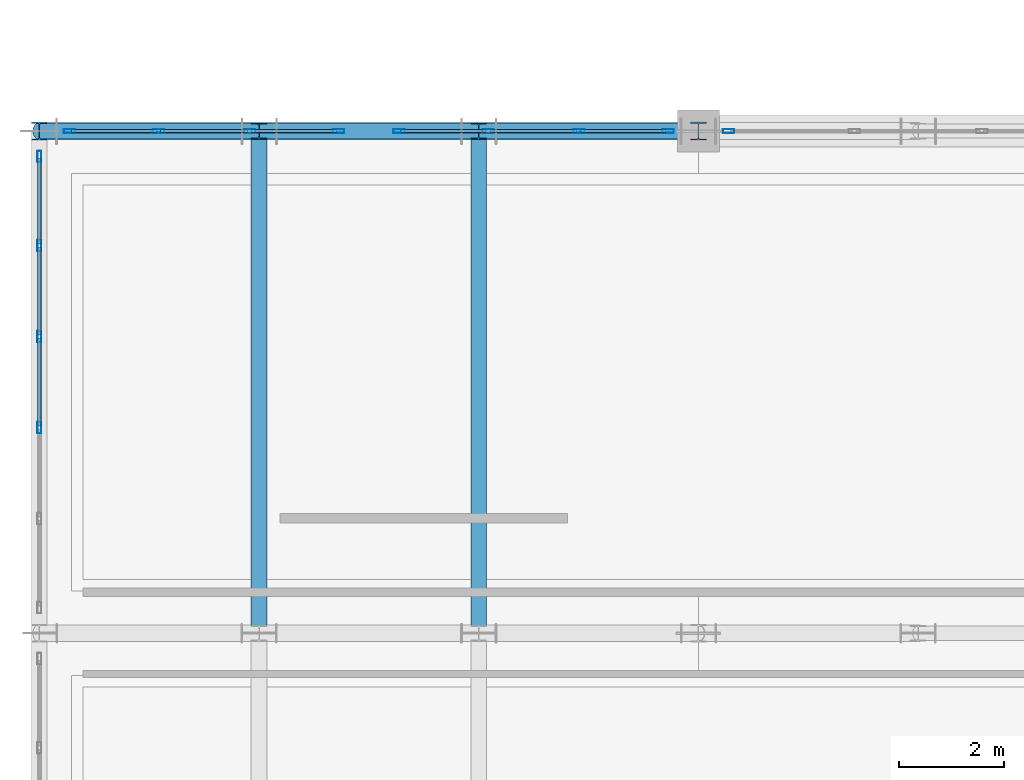
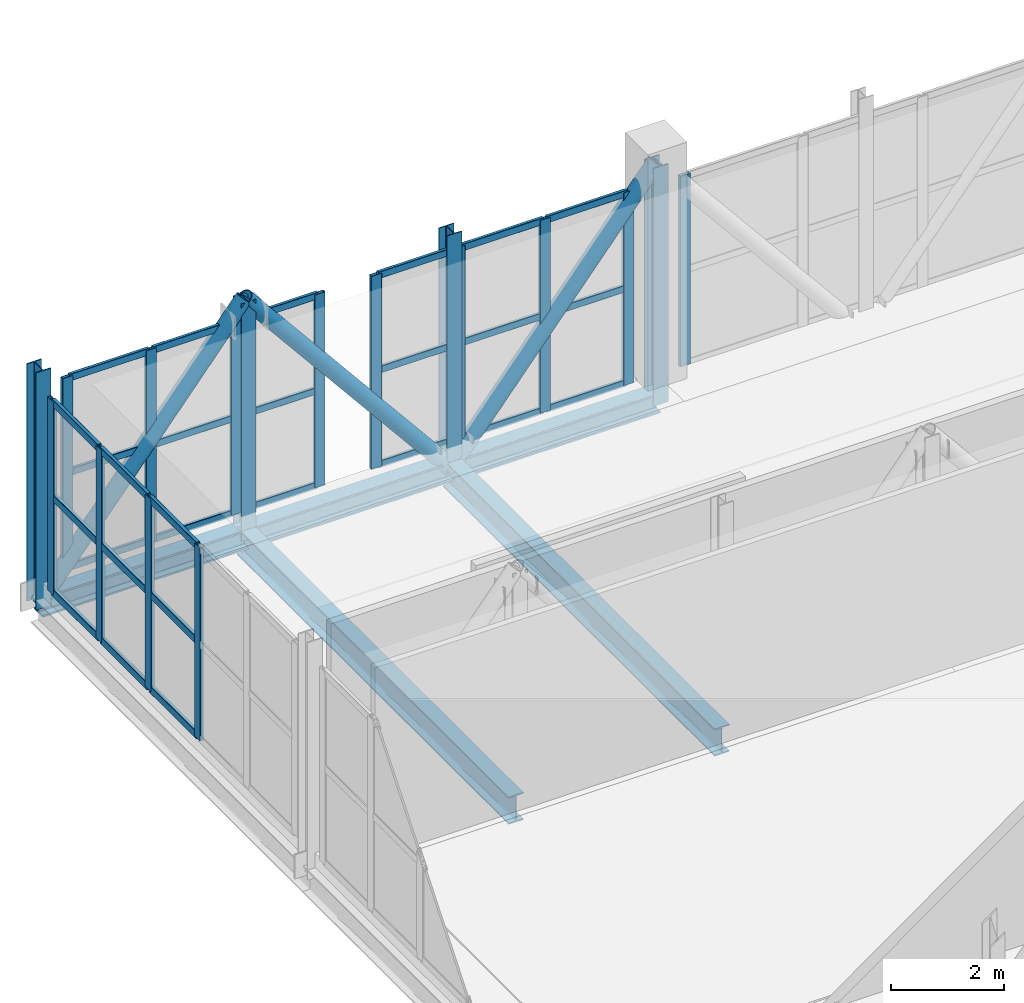
# One storey, part 15 of 77: 50 members, 2 beams, 4 elements without a shape of their own.
"""IFC4 building model written with IfcOpenShell, lengths in metres."""

from ifc_helpers import new_model, si_unit, direction, frame, origin, origin_2d, place, context, subcontext, project, spatial, hollow_rectangle, hollow_circle, i_section, extrude, material, layer, layer_set, material_profile, profile_set, type_object, element, aggregate, save


model = new_model("IFC4")

# Units and contexts
model_context = context("Model", 3, precision=1e-05, world=origin(), true_north=direction((0.0, 1.0)))
body_context = subcontext(model_context, "Body", "Model", "MODEL_VIEW")
ifc_project = project(units=[si_unit("LENGTHUNIT", "METRE"), si_unit("AREAUNIT", "SQUARE_METRE"), si_unit("VOLUMEUNIT", "CUBIC_METRE"), si_unit("PLANEANGLEUNIT", "RADIAN"), si_unit("MASSUNIT", "GRAM", prefix="KILO")], contexts=[model_context])

# Site, building, storey
site_placement = place(None, origin())
site = spatial("IfcSite", under=ifc_project, at=site_placement, CompositionType="ELEMENT")
building_placement = place(site_placement, origin())
building = spatial("IfcBuilding", under=site, at=building_placement, Name="Zulmaris Art Gallery", CompositionType="ELEMENT")
storey_placement = place(building_placement, frame((0.0, 0.0, 15.60009765625)))
storey = spatial("IfcBuildingStorey", under=building, at=storey_placement, Name="L03", CompositionType="ELEMENT", Elevation=15.60009765625)

# Beams
ifc_material_1 = material(Name="Steel S355J2", Category="steel")
ifc_material_profile_1 = material_profile(ifc_material_1, i_section(OverallWidth=0.300048828125, OverallDepth=0.590087890625, WebThickness=0.012939453125, FlangeThickness=0.02490234375, FilletRadius=0.027099609375, at=origin_2d()), Name="HEA 600")
ifc_profile_set_1 = profile_set([ifc_material_profile_1], Name="Steel S355J2")
beam_type = type_object("IfcBeamType", Name="BEAM-BM12", PredefinedType="BEAM", material=ifc_profile_set_1)
for number, where, z_axis, x_axis, name in (
    (1, (15.60009765625, 40.800048828125, -0.614990234375), (0.0, 1.0, 0.0), (-1.0, 0.0, 0.0), "L03 cantilever transverse girder at x=15.6"),
    (2, (19.800048828125, 40.800048828125, -0.614990234375), (0.0, 1.0, 0.0), (-1.0, 0.0, 0.0), "L03 cantilever transverse girder at x=19.8"),
):
    element("IfcBeam", number, at=place(storey_placement, frame(where, z_axis=z_axis, x_axis=x_axis)), inside=storey, type_object=beam_type, Name=name, PredefinedType="BEAM", context=body_context, shape_type="SweptSolid", body=[
        extrude(i_section(OverallWidth=0.300048828125, OverallDepth=0.590087890625, WebThickness=0.012939453125, FlangeThickness=0.02490234375, FilletRadius=0.027099609375, at=origin_2d()), origin(), (0.0, 0.0, 1.0), 9.599853515625),
    ])

# Curtain wall, members
ifc_material_2 = material(Name="Unitised Low-E Gallery Curtain Wall", Category="aluminium")
ifc_layer_1 = layer(ifc_material_2, 0.179931640625)
ifc_layer_set_1 = layer_set([ifc_layer_1], Name="Unitised Low-E Gallery Curtain Wall")
curtain_wall_type_1 = type_object("IfcCurtainWallType", Name="CW-CW01", PredefinedType="NOTDEFINED", material=ifc_layer_set_1)
curtain_wall_1_placement = place(storey_placement, origin())
curtain_wall_1 = element("IfcCurtainWall", 3, at=curtain_wall_1_placement, inside=storey, type_object=curtain_wall_type_1, Name="L03 curtain wall 2", PredefinedType="NOTDEFINED")
ifc_material_3 = material(Name="Anodised Bronze Aluminium", Category="aluminium")
ifc_material_profile_2 = material_profile(ifc_material_3, hollow_rectangle(XDim=0.074951171875, YDim=0.219970703125, WallThickness=0.0048828125, InnerFilletRadius=0.007568359375, OuterFilletRadius=0.012451171875, at=origin_2d()), Name="ALU 75x220x5")
ifc_profile_set_2 = profile_set([ifc_material_profile_2], Name="Anodised Bronze Aluminium")
member_type_1 = type_object("IfcMemberType", Name="CWMUL-02", PredefinedType="MULLION", material=ifc_profile_set_2)
member_1_placement = place(storey_placement, frame((17.12255859375, 50.39990234375, 0.0), z_axis=(0.0, 0.0, 1.0), x_axis=(0.0, -1.0, 0.0)))
member_1 = element("IfcMember", 4, at=member_1_placement, type_object=member_type_1, Name="CW01 mullion 1", PredefinedType="MULLION", context=body_context, shape_type="SweptSolid", body=[
    extrude(hollow_rectangle(XDim=0.074951171875, YDim=0.219970703125, WallThickness=0.0048828125, InnerFilletRadius=0.007568359375, OuterFilletRadius=0.012451171875, at=origin_2d()), origin(), (0.0, 0.0, 1.0), 4.159912109375),
])
member_2_placement = place(storey_placement, frame((15.419921875, 50.39990234375, 0.0), z_axis=(0.0, 0.0, 1.0), x_axis=(0.0, -1.0, 0.0)))
member_2 = element("IfcMember", 5, at=member_2_placement, type_object=member_type_1, Name="CW01 mullion 2", PredefinedType="MULLION", context=body_context, shape_type="SweptSolid", body=[
    extrude(hollow_rectangle(XDim=0.074951171875, YDim=0.219970703125, WallThickness=0.0048828125, InnerFilletRadius=0.007568359375, OuterFilletRadius=0.012451171875, at=origin_2d()), origin(), (0.0, 0.0, 1.0), 4.159912109375),
])
member_3_placement = place(storey_placement, frame((13.679931640625, 50.39990234375, 0.0), z_axis=(0.0, 0.0, 1.0), x_axis=(0.0, -1.0, 0.0)))
member_3 = element("IfcMember", 6, at=member_3_placement, type_object=member_type_1, Name="CW01 mullion 3", PredefinedType="MULLION", context=body_context, shape_type="SweptSolid", body=[
    extrude(hollow_rectangle(XDim=0.074951171875, YDim=0.219970703125, WallThickness=0.0048828125, InnerFilletRadius=0.007568359375, OuterFilletRadius=0.012451171875, at=origin_2d()), origin(), (0.0, 0.0, 1.0), 4.159912109375),
])
member_4_placement = place(storey_placement, frame((11.9775390625, 50.39990234375, 0.0), z_axis=(0.0, 0.0, 1.0), x_axis=(0.0, -1.0, 0.0)))
member_4 = element("IfcMember", 7, at=member_4_placement, type_object=member_type_1, Name="CW01 mullion 4", PredefinedType="MULLION", context=body_context, shape_type="SweptSolid", body=[
    extrude(hollow_rectangle(XDim=0.074951171875, YDim=0.219970703125, WallThickness=0.0048828125, InnerFilletRadius=0.007568359375, OuterFilletRadius=0.012451171875, at=origin_2d()), origin(), (0.0, 0.0, 1.0), 4.159912109375),
])

curtain_wall_2_placement = place(storey_placement, origin())
curtain_wall_2 = element("IfcCurtainWall", 8, at=curtain_wall_2_placement, inside=storey, type_object=curtain_wall_type_1, Name="L03 curtain wall 4", PredefinedType="NOTDEFINED")
member_5_placement = place(storey_placement, frame((23.422607421875, 50.39990234375, 0.0), z_axis=(0.0, 0.0, 1.0), x_axis=(0.0, -1.0, 0.0)))
member_5 = element("IfcMember", 9, at=member_5_placement, type_object=member_type_1, Name="CW01 mullion 1", PredefinedType="MULLION", context=body_context, shape_type="SweptSolid", body=[
    extrude(hollow_rectangle(XDim=0.074951171875, YDim=0.219970703125, WallThickness=0.0048828125, InnerFilletRadius=0.007568359375, OuterFilletRadius=0.012451171875, at=origin_2d()), origin(), (0.0, 0.0, 1.0), 4.159912109375),
])
member_6_placement = place(storey_placement, frame((21.719970703125, 50.39990234375, 0.0), z_axis=(0.0, 0.0, 1.0), x_axis=(0.0, -1.0, 0.0)))
member_6 = element("IfcMember", 10, at=member_6_placement, type_object=member_type_1, Name="CW01 mullion 2", PredefinedType="MULLION", context=body_context, shape_type="SweptSolid", body=[
    extrude(hollow_rectangle(XDim=0.074951171875, YDim=0.219970703125, WallThickness=0.0048828125, InnerFilletRadius=0.007568359375, OuterFilletRadius=0.012451171875, at=origin_2d()), origin(), (0.0, 0.0, 1.0), 4.159912109375),
])
member_7_placement = place(storey_placement, frame((19.97998046875, 50.39990234375, 0.0), z_axis=(0.0, 0.0, 1.0), x_axis=(0.0, -1.0, 0.0)))
member_7 = element("IfcMember", 11, at=member_7_placement, type_object=member_type_1, Name="CW01 mullion 3", PredefinedType="MULLION", context=body_context, shape_type="SweptSolid", body=[
    extrude(hollow_rectangle(XDim=0.074951171875, YDim=0.219970703125, WallThickness=0.0048828125, InnerFilletRadius=0.007568359375, OuterFilletRadius=0.012451171875, at=origin_2d()), origin(), (0.0, 0.0, 1.0), 4.159912109375),
])
member_8_placement = place(storey_placement, frame((18.277587890625, 50.39990234375, 0.0), z_axis=(0.0, 0.0, 1.0), x_axis=(0.0, -1.0, 0.0)))
member_8 = element("IfcMember", 12, at=member_8_placement, type_object=member_type_1, Name="CW01 mullion 4", PredefinedType="MULLION", context=body_context, shape_type="SweptSolid", body=[
    extrude(hollow_rectangle(XDim=0.074951171875, YDim=0.219970703125, WallThickness=0.0048828125, InnerFilletRadius=0.007568359375, OuterFilletRadius=0.012451171875, at=origin_2d()), origin(), (0.0, 0.0, 1.0), 4.159912109375),
])

# Curtain wall, member
curtain_wall_3_placement = place(storey_placement, origin())
curtain_wall_3 = element("IfcCurtainWall", 13, at=curtain_wall_3_placement, inside=storey, type_object=curtain_wall_type_1, Name="L03 curtain wall 6", PredefinedType="NOTDEFINED")
member_9_placement = place(storey_placement, frame((24.577392578125, 50.39990234375, 0.0), z_axis=(0.0, 0.0, 1.0), x_axis=(0.0, -1.0, 0.0)))
member_9 = element("IfcMember", 14, at=member_9_placement, type_object=member_type_1, Name="CW01 mullion 4", PredefinedType="MULLION", context=body_context, shape_type="SweptSolid", body=[
    extrude(hollow_rectangle(XDim=0.074951171875, YDim=0.219970703125, WallThickness=0.0048828125, InnerFilletRadius=0.007568359375, OuterFilletRadius=0.012451171875, at=origin_2d()), origin(), (0.0, 0.0, 1.0), 4.10986328125),
])
aggregate(curtain_wall_3, [member_9])

# Curtain wall, members
ifc_material_4 = material(Name="Belvedere Horizon Glazed Curtain Wall", Category="aluminium")
ifc_layer_2 = layer(ifc_material_4, 0.179931640625)
ifc_layer_set_2 = layer_set([ifc_layer_2], Name="Belvedere Horizon Glazed Curtain Wall")
curtain_wall_type_2 = type_object("IfcCurtainWallType", Name="CW-CW02", PredefinedType="NOTDEFINED", material=ifc_layer_set_2)
curtain_wall_4_placement = place(storey_placement, origin())
curtain_wall_4 = element("IfcCurtainWall", 15, at=curtain_wall_4_placement, inside=storey, type_object=curtain_wall_type_2, Name="L03 curtain wall 18", PredefinedType="NOTDEFINED")
member_10_placement = place(storey_placement, frame((11.39990234375, 44.72998046875, 0.0), z_axis=(0.0, 0.0, 1.0), x_axis=(-1.0, 0.0, 0.0)))
member_10 = element("IfcMember", 16, at=member_10_placement, type_object=member_type_1, Name="CW02 mullion 3", PredefinedType="MULLION", context=body_context, shape_type="SweptSolid", body=[
    extrude(hollow_rectangle(XDim=0.074951171875, YDim=0.219970703125, WallThickness=0.0048828125, InnerFilletRadius=0.007568359375, OuterFilletRadius=0.012451171875, at=origin_2d()), origin(), (0.0, 0.0, 1.0), 4.159912109375),
])
member_11_placement = place(storey_placement, frame((11.39990234375, 46.469970703125, 0.0), z_axis=(0.0, 0.0, 1.0), x_axis=(-1.0, 0.0, 0.0)))
member_11 = element("IfcMember", 17, at=member_11_placement, type_object=member_type_1, Name="CW02 mullion 4", PredefinedType="MULLION", context=body_context, shape_type="SweptSolid", body=[
    extrude(hollow_rectangle(XDim=0.074951171875, YDim=0.219970703125, WallThickness=0.0048828125, InnerFilletRadius=0.007568359375, OuterFilletRadius=0.012451171875, at=origin_2d()), origin(), (0.0, 0.0, 1.0), 4.159912109375),
])
member_12_placement = place(storey_placement, frame((11.39990234375, 48.2099609375, 0.0), z_axis=(0.0, 0.0, 1.0), x_axis=(-1.0, 0.0, 0.0)))
member_12 = element("IfcMember", 18, at=member_12_placement, type_object=member_type_1, Name="CW02 mullion 5", PredefinedType="MULLION", context=body_context, shape_type="SweptSolid", body=[
    extrude(hollow_rectangle(XDim=0.074951171875, YDim=0.219970703125, WallThickness=0.0048828125, InnerFilletRadius=0.007568359375, OuterFilletRadius=0.012451171875, at=origin_2d()), origin(), (0.0, 0.0, 1.0), 4.159912109375),
])
member_13_placement = place(storey_placement, frame((11.39990234375, 49.91259765625, 0.0), z_axis=(0.0, 0.0, 1.0), x_axis=(-1.0, 0.0, 0.0)))
member_13 = element("IfcMember", 19, at=member_13_placement, type_object=member_type_1, Name="CW02 mullion 6", PredefinedType="MULLION", context=body_context, shape_type="SweptSolid", body=[
    extrude(hollow_rectangle(XDim=0.074951171875, YDim=0.219970703125, WallThickness=0.0048828125, InnerFilletRadius=0.007568359375, OuterFilletRadius=0.012451171875, at=origin_2d()), origin(), (0.0, 0.0, 1.0), 4.159912109375),
])

# Member
ifc_material_profile_3 = material_profile(ifc_material_3, hollow_rectangle(XDim=0.06494140625, YDim=0.14990234375, WallThickness=0.00390625, InnerFilletRadius=0.006103515625, OuterFilletRadius=0.010009765625, at=origin_2d()), Name="ALU 65x150x4")
ifc_profile_set_3 = profile_set([ifc_material_profile_3], Name="Anodised Bronze Aluminium")
member_type_2 = type_object("IfcMemberType", Name="CWTRN-01", PredefinedType="USERDEFINED", material=ifc_profile_set_3)
member_14_placement = place(storey_placement, frame((17.0849609375, 50.39990234375, 0.037353515625), z_axis=(-1.0, 0.0, 0.0), x_axis=(0.0, -1.0, 0.0)))
member_14 = element("IfcMember", 20, at=member_14_placement, type_object=member_type_2, Name="CW01 transom 1.1", ObjectType="TRANSOM", PredefinedType="USERDEFINED", context=body_context, shape_type="SweptSolid", body=[
    extrude(hollow_rectangle(XDim=0.06494140625, YDim=0.14990234375, WallThickness=0.00390625, InnerFilletRadius=0.006103515625, OuterFilletRadius=0.010009765625, at=origin_2d()), origin(), (0.0, 0.0, 1.0), 1.62744140625),
])

member_15_placement = place(storey_placement, frame((17.0849609375, 50.39990234375, 2.079833984375), z_axis=(-1.0, 0.0, 0.0), x_axis=(0.0, -1.0, 0.0)))
member_15 = element("IfcMember", 21, at=member_15_placement, type_object=member_type_2, Name="CW01 transom 1.2", ObjectType="TRANSOM", PredefinedType="USERDEFINED", context=body_context, shape_type="SweptSolid", body=[
    extrude(hollow_rectangle(XDim=0.06494140625, YDim=0.14990234375, WallThickness=0.00390625, InnerFilletRadius=0.006103515625, OuterFilletRadius=0.010009765625, at=origin_2d()), origin(), (0.0, 0.0, 1.0), 1.62744140625),
])

member_16_placement = place(storey_placement, frame((17.0849609375, 50.39990234375, 4.122314453125), z_axis=(-1.0, 0.0, 0.0), x_axis=(0.0, -1.0, 0.0)))
member_16 = element("IfcMember", 22, at=member_16_placement, type_object=member_type_2, Name="CW01 transom 1.3", ObjectType="TRANSOM", PredefinedType="USERDEFINED", context=body_context, shape_type="SweptSolid", body=[
    extrude(hollow_rectangle(XDim=0.06494140625, YDim=0.14990234375, WallThickness=0.00390625, InnerFilletRadius=0.006103515625, OuterFilletRadius=0.010009765625, at=origin_2d()), origin(), (0.0, 0.0, 1.0), 1.62744140625),
])

member_17_placement = place(storey_placement, frame((15.382568359375, 50.39990234375, 0.037353515625), z_axis=(-1.0, 0.0, 0.0), x_axis=(0.0, -1.0, 0.0)))
member_17 = element("IfcMember", 23, at=member_17_placement, type_object=member_type_2, Name="CW01 transom 2.1", ObjectType="TRANSOM", PredefinedType="USERDEFINED", context=body_context, shape_type="SweptSolid", body=[
    extrude(hollow_rectangle(XDim=0.06494140625, YDim=0.14990234375, WallThickness=0.00390625, InnerFilletRadius=0.006103515625, OuterFilletRadius=0.010009765625, at=origin_2d()), origin(), (0.0, 0.0, 1.0), 1.6650390625),
])

member_18_placement = place(storey_placement, frame((15.382568359375, 50.39990234375, 2.079833984375), z_axis=(-1.0, 0.0, 0.0), x_axis=(0.0, -1.0, 0.0)))
member_18 = element("IfcMember", 24, at=member_18_placement, type_object=member_type_2, Name="CW01 transom 2.2", ObjectType="TRANSOM", PredefinedType="USERDEFINED", context=body_context, shape_type="SweptSolid", body=[
    extrude(hollow_rectangle(XDim=0.06494140625, YDim=0.14990234375, WallThickness=0.00390625, InnerFilletRadius=0.006103515625, OuterFilletRadius=0.010009765625, at=origin_2d()), origin(), (0.0, 0.0, 1.0), 1.6650390625),
])

member_19_placement = place(storey_placement, frame((15.382568359375, 50.39990234375, 4.122314453125), z_axis=(-1.0, 0.0, 0.0), x_axis=(0.0, -1.0, 0.0)))
member_19 = element("IfcMember", 25, at=member_19_placement, type_object=member_type_2, Name="CW01 transom 2.3", ObjectType="TRANSOM", PredefinedType="USERDEFINED", context=body_context, shape_type="SweptSolid", body=[
    extrude(hollow_rectangle(XDim=0.06494140625, YDim=0.14990234375, WallThickness=0.00390625, InnerFilletRadius=0.006103515625, OuterFilletRadius=0.010009765625, at=origin_2d()), origin(), (0.0, 0.0, 1.0), 1.6650390625),
])

member_20_placement = place(storey_placement, frame((13.642578125, 50.39990234375, 0.037353515625), z_axis=(-1.0, 0.0, 0.0), x_axis=(0.0, -1.0, 0.0)))
member_20 = element("IfcMember", 26, at=member_20_placement, type_object=member_type_2, Name="CW01 transom 3.1", ObjectType="TRANSOM", PredefinedType="USERDEFINED", context=body_context, shape_type="SweptSolid", body=[
    extrude(hollow_rectangle(XDim=0.06494140625, YDim=0.14990234375, WallThickness=0.00390625, InnerFilletRadius=0.006103515625, OuterFilletRadius=0.010009765625, at=origin_2d()), origin(), (0.0, 0.0, 1.0), 1.627685546875),
])

member_21_placement = place(storey_placement, frame((13.642578125, 50.39990234375, 2.079833984375), z_axis=(-1.0, 0.0, 0.0), x_axis=(0.0, -1.0, 0.0)))
member_21 = element("IfcMember", 27, at=member_21_placement, type_object=member_type_2, Name="CW01 transom 3.2", ObjectType="TRANSOM", PredefinedType="USERDEFINED", context=body_context, shape_type="SweptSolid", body=[
    extrude(hollow_rectangle(XDim=0.06494140625, YDim=0.14990234375, WallThickness=0.00390625, InnerFilletRadius=0.006103515625, OuterFilletRadius=0.010009765625, at=origin_2d()), origin(), (0.0, 0.0, 1.0), 1.627685546875),
])

member_22_placement = place(storey_placement, frame((13.642578125, 50.39990234375, 4.122314453125), z_axis=(-1.0, 0.0, 0.0), x_axis=(0.0, -1.0, 0.0)))
member_22 = element("IfcMember", 28, at=member_22_placement, type_object=member_type_2, Name="CW01 transom 3.3", ObjectType="TRANSOM", PredefinedType="USERDEFINED", context=body_context, shape_type="SweptSolid", body=[
    extrude(hollow_rectangle(XDim=0.06494140625, YDim=0.14990234375, WallThickness=0.00390625, InnerFilletRadius=0.006103515625, OuterFilletRadius=0.010009765625, at=origin_2d()), origin(), (0.0, 0.0, 1.0), 1.627685546875),
])

aggregate(curtain_wall_1, [member_1, member_2, member_3, member_4, member_14, member_15, member_16, member_17, member_18, member_19, member_20, member_21, member_22])

member_23_placement = place(storey_placement, frame((23.385009765625, 50.39990234375, 0.037353515625), z_axis=(-1.0, 0.0, 0.0), x_axis=(0.0, -1.0, 0.0)))
member_23 = element("IfcMember", 29, at=member_23_placement, type_object=member_type_2, Name="CW01 transom 1.1", ObjectType="TRANSOM", PredefinedType="USERDEFINED", context=body_context, shape_type="SweptSolid", body=[
    extrude(hollow_rectangle(XDim=0.06494140625, YDim=0.14990234375, WallThickness=0.00390625, InnerFilletRadius=0.006103515625, OuterFilletRadius=0.010009765625, at=origin_2d()), origin(), (0.0, 0.0, 1.0), 1.62744140625),
])

member_24_placement = place(storey_placement, frame((23.385009765625, 50.39990234375, 2.079833984375), z_axis=(-1.0, 0.0, 0.0), x_axis=(0.0, -1.0, 0.0)))
member_24 = element("IfcMember", 30, at=member_24_placement, type_object=member_type_2, Name="CW01 transom 1.2", ObjectType="TRANSOM", PredefinedType="USERDEFINED", context=body_context, shape_type="SweptSolid", body=[
    extrude(hollow_rectangle(XDim=0.06494140625, YDim=0.14990234375, WallThickness=0.00390625, InnerFilletRadius=0.006103515625, OuterFilletRadius=0.010009765625, at=origin_2d()), origin(), (0.0, 0.0, 1.0), 1.62744140625),
])

member_25_placement = place(storey_placement, frame((23.385009765625, 50.39990234375, 4.122314453125), z_axis=(-1.0, 0.0, 0.0), x_axis=(0.0, -1.0, 0.0)))
member_25 = element("IfcMember", 31, at=member_25_placement, type_object=member_type_2, Name="CW01 transom 1.3", ObjectType="TRANSOM", PredefinedType="USERDEFINED", context=body_context, shape_type="SweptSolid", body=[
    extrude(hollow_rectangle(XDim=0.06494140625, YDim=0.14990234375, WallThickness=0.00390625, InnerFilletRadius=0.006103515625, OuterFilletRadius=0.010009765625, at=origin_2d()), origin(), (0.0, 0.0, 1.0), 1.62744140625),
])

member_26_placement = place(storey_placement, frame((21.6826171875, 50.39990234375, 0.037353515625), z_axis=(-1.0, 0.0, 0.0), x_axis=(0.0, -1.0, 0.0)))
member_26 = element("IfcMember", 32, at=member_26_placement, type_object=member_type_2, Name="CW01 transom 2.1", ObjectType="TRANSOM", PredefinedType="USERDEFINED", context=body_context, shape_type="SweptSolid", body=[
    extrude(hollow_rectangle(XDim=0.06494140625, YDim=0.14990234375, WallThickness=0.00390625, InnerFilletRadius=0.006103515625, OuterFilletRadius=0.010009765625, at=origin_2d()), origin(), (0.0, 0.0, 1.0), 1.6650390625),
])

member_27_placement = place(storey_placement, frame((21.6826171875, 50.39990234375, 2.079833984375), z_axis=(-1.0, 0.0, 0.0), x_axis=(0.0, -1.0, 0.0)))
member_27 = element("IfcMember", 33, at=member_27_placement, type_object=member_type_2, Name="CW01 transom 2.2", ObjectType="TRANSOM", PredefinedType="USERDEFINED", context=body_context, shape_type="SweptSolid", body=[
    extrude(hollow_rectangle(XDim=0.06494140625, YDim=0.14990234375, WallThickness=0.00390625, InnerFilletRadius=0.006103515625, OuterFilletRadius=0.010009765625, at=origin_2d()), origin(), (0.0, 0.0, 1.0), 1.6650390625),
])

member_28_placement = place(storey_placement, frame((21.6826171875, 50.39990234375, 4.122314453125), z_axis=(-1.0, 0.0, 0.0), x_axis=(0.0, -1.0, 0.0)))
member_28 = element("IfcMember", 34, at=member_28_placement, type_object=member_type_2, Name="CW01 transom 2.3", ObjectType="TRANSOM", PredefinedType="USERDEFINED", context=body_context, shape_type="SweptSolid", body=[
    extrude(hollow_rectangle(XDim=0.06494140625, YDim=0.14990234375, WallThickness=0.00390625, InnerFilletRadius=0.006103515625, OuterFilletRadius=0.010009765625, at=origin_2d()), origin(), (0.0, 0.0, 1.0), 1.6650390625),
])

member_29_placement = place(storey_placement, frame((19.9423828125, 50.39990234375, 0.037353515625), z_axis=(-1.0, 0.0, 0.0), x_axis=(0.0, -1.0, 0.0)))
member_29 = element("IfcMember", 35, at=member_29_placement, type_object=member_type_2, Name="CW01 transom 3.1", ObjectType="TRANSOM", PredefinedType="USERDEFINED", context=body_context, shape_type="SweptSolid", body=[
    extrude(hollow_rectangle(XDim=0.06494140625, YDim=0.14990234375, WallThickness=0.00390625, InnerFilletRadius=0.006103515625, OuterFilletRadius=0.010009765625, at=origin_2d()), origin(), (0.0, 0.0, 1.0), 1.62744140625),
])

member_30_placement = place(storey_placement, frame((19.9423828125, 50.39990234375, 2.079833984375), z_axis=(-1.0, 0.0, 0.0), x_axis=(0.0, -1.0, 0.0)))
member_30 = element("IfcMember", 36, at=member_30_placement, type_object=member_type_2, Name="CW01 transom 3.2", ObjectType="TRANSOM", PredefinedType="USERDEFINED", context=body_context, shape_type="SweptSolid", body=[
    extrude(hollow_rectangle(XDim=0.06494140625, YDim=0.14990234375, WallThickness=0.00390625, InnerFilletRadius=0.006103515625, OuterFilletRadius=0.010009765625, at=origin_2d()), origin(), (0.0, 0.0, 1.0), 1.62744140625),
])

member_31_placement = place(storey_placement, frame((19.9423828125, 50.39990234375, 4.122314453125), z_axis=(-1.0, 0.0, 0.0), x_axis=(0.0, -1.0, 0.0)))
member_31 = element("IfcMember", 37, at=member_31_placement, type_object=member_type_2, Name="CW01 transom 3.3", ObjectType="TRANSOM", PredefinedType="USERDEFINED", context=body_context, shape_type="SweptSolid", body=[
    extrude(hollow_rectangle(XDim=0.06494140625, YDim=0.14990234375, WallThickness=0.00390625, InnerFilletRadius=0.006103515625, OuterFilletRadius=0.010009765625, at=origin_2d()), origin(), (0.0, 0.0, 1.0), 1.62744140625),
])

aggregate(curtain_wall_2, [member_5, member_6, member_7, member_8, member_23, member_24, member_25, member_26, member_27, member_28, member_29, member_30, member_31])

ifc_material_profile_4 = material_profile(ifc_material_3, hollow_rectangle(XDim=0.074951171875, YDim=0.159912109375, WallThickness=0.00390625, InnerFilletRadius=0.006103515625, OuterFilletRadius=0.010009765625, at=origin_2d()), Name="ALU 75x160x4")
ifc_profile_set_4 = profile_set([ifc_material_profile_4], Name="Anodised Bronze Aluminium")
member_type_3 = type_object("IfcMemberType", Name="CWTRN-02", PredefinedType="USERDEFINED", material=ifc_profile_set_4)
member_32_placement = place(storey_placement, frame((11.39990234375, 44.767578125, 0.037353515625), z_axis=(0.0, 1.0, 0.0), x_axis=(-1.0, 0.0, 0.0)))
member_32 = element("IfcMember", 38, at=member_32_placement, type_object=member_type_3, Name="CW02 transom 3.1", ObjectType="TRANSOM", PredefinedType="USERDEFINED", context=body_context, shape_type="SweptSolid", body=[
    extrude(hollow_rectangle(XDim=0.074951171875, YDim=0.159912109375, WallThickness=0.00390625, InnerFilletRadius=0.006103515625, OuterFilletRadius=0.010009765625, at=origin_2d()), origin(), (0.0, 0.0, 1.0), 1.6650390625),
])

member_33_placement = place(storey_placement, frame((11.39990234375, 44.767578125, 2.079833984375), z_axis=(0.0, 1.0, 0.0), x_axis=(-1.0, 0.0, 0.0)))
member_33 = element("IfcMember", 39, at=member_33_placement, type_object=member_type_3, Name="CW02 transom 3.2", ObjectType="TRANSOM", PredefinedType="USERDEFINED", context=body_context, shape_type="SweptSolid", body=[
    extrude(hollow_rectangle(XDim=0.074951171875, YDim=0.159912109375, WallThickness=0.00390625, InnerFilletRadius=0.006103515625, OuterFilletRadius=0.010009765625, at=origin_2d()), origin(), (0.0, 0.0, 1.0), 1.6650390625),
])

member_34_placement = place(storey_placement, frame((11.39990234375, 44.767578125, 4.122314453125), z_axis=(0.0, 1.0, 0.0), x_axis=(-1.0, 0.0, 0.0)))
member_34 = element("IfcMember", 40, at=member_34_placement, type_object=member_type_3, Name="CW02 transom 3.3", ObjectType="TRANSOM", PredefinedType="USERDEFINED", context=body_context, shape_type="SweptSolid", body=[
    extrude(hollow_rectangle(XDim=0.074951171875, YDim=0.159912109375, WallThickness=0.00390625, InnerFilletRadius=0.006103515625, OuterFilletRadius=0.010009765625, at=origin_2d()), origin(), (0.0, 0.0, 1.0), 1.6650390625),
])

member_35_placement = place(storey_placement, frame((11.39990234375, 46.507568359375, 0.037353515625), z_axis=(0.0, 1.0, 0.0), x_axis=(-1.0, 0.0, 0.0)))
member_35 = element("IfcMember", 41, at=member_35_placement, type_object=member_type_3, Name="CW02 transom 4.1", ObjectType="TRANSOM", PredefinedType="USERDEFINED", context=body_context, shape_type="SweptSolid", body=[
    extrude(hollow_rectangle(XDim=0.074951171875, YDim=0.159912109375, WallThickness=0.00390625, InnerFilletRadius=0.006103515625, OuterFilletRadius=0.010009765625, at=origin_2d()), origin(), (0.0, 0.0, 1.0), 1.6650390625),
])

member_36_placement = place(storey_placement, frame((11.39990234375, 46.507568359375, 2.079833984375), z_axis=(0.0, 1.0, 0.0), x_axis=(-1.0, 0.0, 0.0)))
member_36 = element("IfcMember", 42, at=member_36_placement, type_object=member_type_3, Name="CW02 transom 4.2", ObjectType="TRANSOM", PredefinedType="USERDEFINED", context=body_context, shape_type="SweptSolid", body=[
    extrude(hollow_rectangle(XDim=0.074951171875, YDim=0.159912109375, WallThickness=0.00390625, InnerFilletRadius=0.006103515625, OuterFilletRadius=0.010009765625, at=origin_2d()), origin(), (0.0, 0.0, 1.0), 1.6650390625),
])

member_37_placement = place(storey_placement, frame((11.39990234375, 46.507568359375, 4.122314453125), z_axis=(0.0, 1.0, 0.0), x_axis=(-1.0, 0.0, 0.0)))
member_37 = element("IfcMember", 43, at=member_37_placement, type_object=member_type_3, Name="CW02 transom 4.3", ObjectType="TRANSOM", PredefinedType="USERDEFINED", context=body_context, shape_type="SweptSolid", body=[
    extrude(hollow_rectangle(XDim=0.074951171875, YDim=0.159912109375, WallThickness=0.00390625, InnerFilletRadius=0.006103515625, OuterFilletRadius=0.010009765625, at=origin_2d()), origin(), (0.0, 0.0, 1.0), 1.6650390625),
])

member_38_placement = place(storey_placement, frame((11.39990234375, 48.24755859375, 0.037353515625), z_axis=(0.0, 1.0, 0.0), x_axis=(-1.0, 0.0, 0.0)))
member_38 = element("IfcMember", 44, at=member_38_placement, type_object=member_type_3, Name="CW02 transom 5.1", ObjectType="TRANSOM", PredefinedType="USERDEFINED", context=body_context, shape_type="SweptSolid", body=[
    extrude(hollow_rectangle(XDim=0.074951171875, YDim=0.159912109375, WallThickness=0.00390625, InnerFilletRadius=0.006103515625, OuterFilletRadius=0.010009765625, at=origin_2d()), origin(), (0.0, 0.0, 1.0), 1.62744140625),
])

member_39_placement = place(storey_placement, frame((11.39990234375, 48.24755859375, 2.079833984375), z_axis=(0.0, 1.0, 0.0), x_axis=(-1.0, 0.0, 0.0)))
member_39 = element("IfcMember", 45, at=member_39_placement, type_object=member_type_3, Name="CW02 transom 5.2", ObjectType="TRANSOM", PredefinedType="USERDEFINED", context=body_context, shape_type="SweptSolid", body=[
    extrude(hollow_rectangle(XDim=0.074951171875, YDim=0.159912109375, WallThickness=0.00390625, InnerFilletRadius=0.006103515625, OuterFilletRadius=0.010009765625, at=origin_2d()), origin(), (0.0, 0.0, 1.0), 1.62744140625),
])

member_40_placement = place(storey_placement, frame((11.39990234375, 48.24755859375, 4.122314453125), z_axis=(0.0, 1.0, 0.0), x_axis=(-1.0, 0.0, 0.0)))
member_40 = element("IfcMember", 46, at=member_40_placement, type_object=member_type_3, Name="CW02 transom 5.3", ObjectType="TRANSOM", PredefinedType="USERDEFINED", context=body_context, shape_type="SweptSolid", body=[
    extrude(hollow_rectangle(XDim=0.074951171875, YDim=0.159912109375, WallThickness=0.00390625, InnerFilletRadius=0.006103515625, OuterFilletRadius=0.010009765625, at=origin_2d()), origin(), (0.0, 0.0, 1.0), 1.62744140625),
])

aggregate(curtain_wall_4, [member_10, member_11, member_12, member_13, member_32, member_33, member_34, member_35, member_36, member_37, member_38, member_39, member_40])

# Members
ifc_material_5 = material(Name="Steel S355J2H", Category="steel")
ifc_material_profile_5 = material_profile(ifc_material_5, hollow_circle(Radius=0.161865234375, WallThickness=0.01611328125, at=origin_2d()), Name="CHS 323.9x16")
ifc_profile_set_5 = profile_set([ifc_material_profile_5], Name="Steel S355J2H")
member_type_4 = type_object("IfcMemberType", Name="MEM-TB04", PredefinedType="BRACE", material=ifc_profile_set_5)
member_41_placement = place(storey_placement, frame((11.39990234375, 50.39990234375, -0.5361328125), z_axis=(0.634341472612, 0.0, 0.773052971099), x_axis=(0.0, 1.0, 0.0)))
element("IfcMember", 47, at=member_41_placement, inside=storey, type_object=member_type_4, Name="Cantilever truss TR-C4 diagonal 1", PredefinedType="BRACE", context=body_context, shape_type="SweptSolid", body=[
    extrude(hollow_circle(Radius=0.161865234375, WallThickness=0.01611328125, at=origin_2d()), origin(), (0.0, 0.0, 1.0), 6.621337890625),
])
for number, where, z_axis, x_axis, name in (
    (48, (15.60009765625, 50.39990234375, 4.58251953125), (0.634319436883, 0.0, -0.773071052357), (0.0, 1.0, 0.0), "Cantilever truss TR-C4 diagonal 2"),
    (49, (19.800048828125, 50.39990234375, -0.5361328125), (0.634319436883, 0.0, 0.773071052357), (0.0, 1.0, 0.0), "Cantilever truss TR-C4 diagonal 3"),
):
    element("IfcMember", number, at=place(storey_placement, frame(where, z_axis=z_axis, x_axis=x_axis)), inside=storey, type_object=member_type_4, Name=name, PredefinedType="BRACE", context=body_context, shape_type="SweptSolid", body=[
        extrude(hollow_circle(Radius=0.161865234375, WallThickness=0.01611328125, at=origin_2d()), origin(), (0.0, 0.0, 1.0), 6.62109375),
    ])
ifc_material_profile_6 = material_profile(ifc_material_1, i_section(OverallWidth=0.306884765625, OverallDepth=0.431884765625, WebThickness=0.02099609375, FlangeThickness=0.0400390625, FilletRadius=0.027099609375, at=origin_2d()), Name="HEM 400")
ifc_profile_set_6 = profile_set([ifc_material_profile_6], Name="Steel S355J2")
member_type_5 = type_object("IfcMemberType", Name="MEM-TC05", PredefinedType="CHORD", material=ifc_profile_set_6)
member_42_placement = place(storey_placement, frame((11.39990234375, 50.39990234375, -0.5361328125), z_axis=(1.0, 0.0, 0.0), x_axis=(0.0, 1.0, 0.0)))
element("IfcMember", 50, at=member_42_placement, inside=storey, type_object=member_type_5, Name="Cantilever truss TR-C4 bottom chord 1", PredefinedType="CHORD", context=body_context, shape_type="SweptSolid", body=[
    extrude(i_section(OverallWidth=0.306884765625, OverallDepth=0.431884765625, WebThickness=0.02099609375, FlangeThickness=0.0400390625, FilletRadius=0.027099609375, at=origin_2d()), origin(), (0.0, 0.0, 1.0), 4.2001953125),
])
for number, where, z_axis, x_axis, name in (
    (51, (15.60009765625, 50.39990234375, -0.5361328125), (1.0, 0.0, 0.0), (0.0, 1.0, 0.0), "Cantilever truss TR-C4 bottom chord 2"),
    (52, (19.800048828125, 50.39990234375, -0.5361328125), (1.0, 0.0, 0.0), (0.0, 1.0, 0.0), "Cantilever truss TR-C4 bottom chord 3"),
):
    element("IfcMember", number, at=place(storey_placement, frame(where, z_axis=z_axis, x_axis=x_axis)), inside=storey, type_object=member_type_5, Name=name, PredefinedType="CHORD", context=body_context, shape_type="SweptSolid", body=[
        extrude(i_section(OverallWidth=0.306884765625, OverallDepth=0.431884765625, WebThickness=0.02099609375, FlangeThickness=0.0400390625, FilletRadius=0.027099609375, at=origin_2d()), origin(), (0.0, 0.0, 1.0), 4.199951171875),
    ])
ifc_material_profile_7 = material_profile(ifc_material_1, i_section(OverallWidth=0.300048828125, OverallDepth=0.300048828125, WebThickness=0.010986328125, FlangeThickness=0.01904296875, FilletRadius=0.027099609375, at=origin_2d()), Name="HEB 300")
ifc_profile_set_7 = profile_set([ifc_material_profile_7], Name="Steel S355J2")
member_type_6 = type_object("IfcMemberType", Name="MEM-TP03", PredefinedType="POST", material=ifc_profile_set_7)
for number, where, z_axis, x_axis, name in (
    (53, (15.60009765625, 50.39990234375, -0.5361328125), (0.0, 0.0, 1.0), (1.0, 0.0, 0.0), "Cantilever truss TR-C4 post 2"),
    (54, (19.800048828125, 50.39990234375, -0.5361328125), (0.0, 0.0, 1.0), (1.0, 0.0, 0.0), "Cantilever truss TR-C4 post 3"),
):
    element("IfcMember", number, at=place(storey_placement, frame(where, z_axis=z_axis, x_axis=x_axis)), inside=storey, type_object=member_type_6, Name=name, PredefinedType="POST", context=body_context, shape_type="SweptSolid", body=[
        extrude(i_section(OverallWidth=0.300048828125, OverallDepth=0.300048828125, WebThickness=0.010986328125, FlangeThickness=0.01904296875, FilletRadius=0.027099609375, at=origin_2d()), origin(), (0.0, 0.0, 1.0), 5.11865234375),
    ])
ifc_material_profile_8 = material_profile(ifc_material_1, i_section(OverallWidth=0.300048828125, OverallDepth=0.340087890625, WebThickness=0.011962890625, FlangeThickness=0.021484375, FilletRadius=0.027099609375, at=origin_2d()), Name="HEB 340")
ifc_profile_set_8 = profile_set([ifc_material_profile_8], Name="Steel S355J2")
member_type_7 = type_object("IfcMemberType", Name="MEM-TP04", PredefinedType="POST", material=ifc_profile_set_8)
member_43_placement = place(storey_placement, frame((11.39990234375, 50.39990234375, -0.5361328125), z_axis=(0.0, 0.0, 1.0), x_axis=(1.0, 0.0, 0.0)))
element("IfcMember", 55, at=member_43_placement, inside=storey, type_object=member_type_7, Name="Cantilever truss TR-C4 post 1", PredefinedType="POST", context=body_context, shape_type="SweptSolid", body=[
    extrude(i_section(OverallWidth=0.300048828125, OverallDepth=0.340087890625, WebThickness=0.011962890625, FlangeThickness=0.021484375, FilletRadius=0.027099609375, at=origin_2d()), origin(), (0.0, 0.0, 1.0), 5.11865234375),
])
member_44_placement = place(storey_placement, frame((24.0, 50.39990234375, -0.550048828125), z_axis=(0.0, 0.0, 1.0), x_axis=(1.0, 0.0, 0.0)))
element("IfcMember", 56, at=member_44_placement, inside=storey, type_object=member_type_7, Name="Cantilever truss TR-C4 post 4", PredefinedType="POST", context=body_context, shape_type="SweptSolid", body=[
    extrude(i_section(OverallWidth=0.300048828125, OverallDepth=0.340087890625, WebThickness=0.011962890625, FlangeThickness=0.021484375, FilletRadius=0.027099609375, at=origin_2d()), origin(), (0.0, 0.0, 1.0), 5.132568359375),
])

save(model, "model.ifc")
